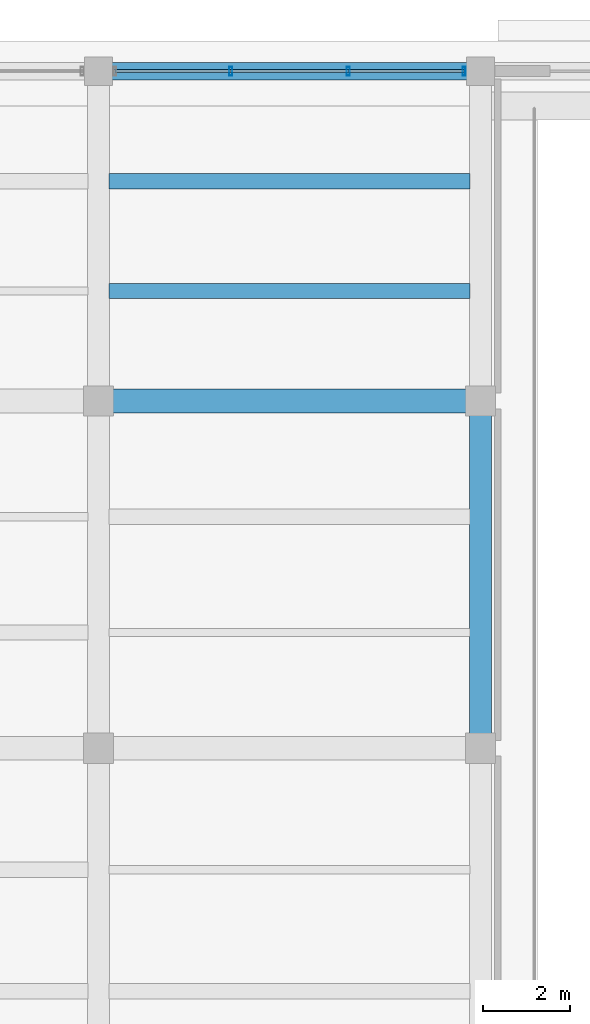
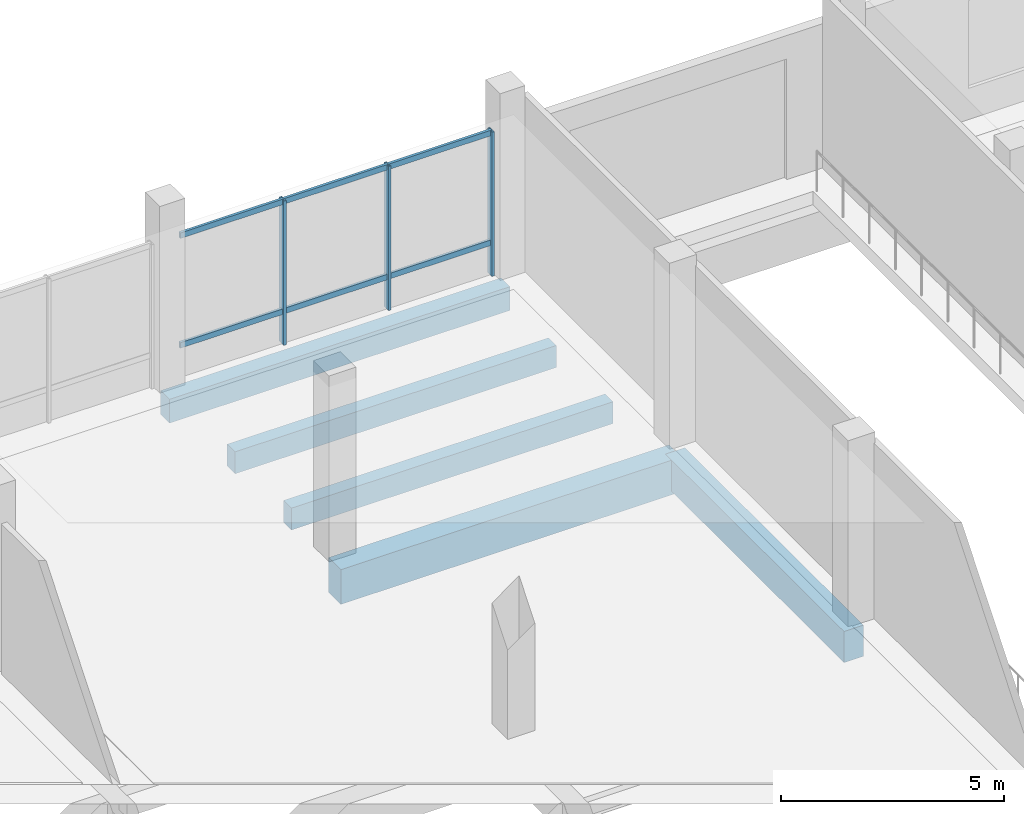
# One storey, part 51 of 73: 9 members, 5 beams, 1 element without a shape of its own.
"""IFC4 building model written with IfcOpenShell, lengths in metres."""

from ifc_helpers import new_model, si_unit, direction, frame, origin, origin_2d, place, context, subcontext, project, spatial, rectangle, hollow_rectangle, extrude, material, layer, layer_set, material_profile, profile_set, type_object, element, aggregate, save


model = new_model("IFC4")

# Units and contexts
model_context = context("Model", 3, precision=1e-05, world=origin(), true_north=direction((0.0, 1.0)))
body_context = subcontext(model_context, "Body", "Model", "MODEL_VIEW")
ifc_project = project(units=[si_unit("LENGTHUNIT", "METRE"), si_unit("AREAUNIT", "SQUARE_METRE"), si_unit("VOLUMEUNIT", "CUBIC_METRE"), si_unit("PLANEANGLEUNIT", "RADIAN"), si_unit("MASSUNIT", "GRAM", prefix="KILO")], contexts=[model_context])

# Site, building, storey
site_placement = place(None, origin())
site = spatial("IfcSite", under=ifc_project, at=site_placement, CompositionType="ELEMENT")
building_placement = place(site_placement, origin())
building = spatial("IfcBuilding", under=site, at=building_placement, Name="Meriwether Solvik Hall", CompositionType="ELEMENT")
storey_placement = place(building_placement, origin())
storey = spatial("IfcBuildingStorey", under=building, at=storey_placement, Name="L00", CompositionType="ELEMENT", Elevation=0.0)

# Beams
ifc_material_1 = material(Name="Concrete C40/50", Category="concrete")
ifc_material_profile_1 = material_profile(ifc_material_1, rectangle(XDim=0.35009765625, YDim=0.60009765625, at=origin_2d()), Name="RCB-350X600")
ifc_profile_set_1 = profile_set([ifc_material_profile_1], Name="Concrete C40/50")
beam_type_1 = type_object("IfcBeamType", Name="BM-RC-350X600", PredefinedType="JOIST", material=ifc_profile_set_1)
for number, where, z_axis, x_axis, name in (
    (1, (140.844970703125, 111.7333984375, -0.659912109375), (1.0, 0.0, 0.0), (0.0, 1.0, 0.0), "Secondary Floor Joist 16/M_J1 (L00)"),
    (2, (140.844970703125, 114.2666015625, -0.659912109375), (1.0, 0.0, 0.0), (0.0, 1.0, 0.0), "Secondary Floor Joist 16/M_J2 (L00)"),
):
    element("IfcBeam", number, at=place(storey_placement, frame(where, z_axis=z_axis, x_axis=x_axis)), inside=storey, type_object=beam_type_1, Name=name, PredefinedType="JOIST", context=body_context, shape_type="SweptSolid", body=[
        extrude(rectangle(XDim=0.35009765625, YDim=0.60009765625, at=origin_2d()), origin(), (0.0, 0.0, 1.0), 8.31005859375),
    ])
ifc_material_2 = material(Name="Concrete C40/50", Category="concrete")
ifc_material_profile_2 = material_profile(ifc_material_2, rectangle(XDim=0.39990234375, YDim=0.64990234375, at=origin_2d()), Name="RCB-400X650")
ifc_profile_set_2 = profile_set([ifc_material_profile_2], Name="Concrete C40/50")
beam_type_2 = type_object("IfcBeamType", Name="BM-RC-400X650", PredefinedType="SPANDREL", material=ifc_profile_set_2)
beam_1_placement = place(storey_placement, frame((140.60009765625, 116.800048828125, -0.68505859375), z_axis=(1.0, 0.0, 0.0), x_axis=(0.0, 1.0, 0.0)))
element("IfcBeam", 3, at=beam_1_placement, inside=storey, type_object=beam_type_2, Name="Podium Girder N:16-17 (L00)", PredefinedType="SPANDREL", context=body_context, shape_type="SweptSolid", body=[
    extrude(rectangle(XDim=0.39990234375, YDim=0.64990234375, at=origin_2d()), origin(), (0.0, 0.0, 1.0), 8.7998046875),
])
ifc_material_3 = material(Name="Concrete C40/50", Category="concrete")
ifc_material_profile_3 = material_profile(ifc_material_3, rectangle(XDim=0.5, YDim=0.85009765625, at=origin_2d()), Name="RCB-500X850")
ifc_profile_set_3 = profile_set([ifc_material_profile_3], Name="Concrete C40/50")
beam_type_3 = type_object("IfcBeamType", Name="BM-RC-500X850", PredefinedType="BEAM", material=ifc_profile_set_3)
beam_2_placement = place(storey_placement, frame((149.39990234375, 101.199951171875, -0.784912109375), z_axis=(0.0, 1.0, 0.0), x_axis=(-1.0, 0.0, 0.0)))
element("IfcBeam", 4, at=beam_2_placement, inside=storey, type_object=beam_type_3, Name="Podium Girder 17:L-M (L00)", PredefinedType="BEAM", context=body_context, shape_type="SweptSolid", body=[
    extrude(rectangle(XDim=0.5, YDim=0.85009765625, at=origin_2d()), origin(), (0.0, 0.0, 1.0), 8.0),
])
ifc_material_4 = material(Name="Concrete C40/50", Category="concrete")
ifc_material_profile_4 = material_profile(ifc_material_4, rectangle(XDim=0.550048828125, YDim=0.949951171875, at=origin_2d()), Name="RCB-550X950")
ifc_profile_set_4 = profile_set([ifc_material_profile_4], Name="Concrete C40/50")
beam_type_4 = type_object("IfcBeamType", Name="BM-RC-550X950", PredefinedType="BEAM", material=ifc_profile_set_4)
beam_3_placement = place(storey_placement, frame((140.60009765625, 109.199951171875, -0.8349609375), z_axis=(1.0, 0.0, 0.0), x_axis=(0.0, 1.0, 0.0)))
element("IfcBeam", 5, at=beam_3_placement, inside=storey, type_object=beam_type_4, Name="Podium Girder M:16-17 (L00)", PredefinedType="BEAM", context=body_context, shape_type="SweptSolid", body=[
    extrude(rectangle(XDim=0.550048828125, YDim=0.949951171875, at=origin_2d()), origin(), (0.0, 0.0, 1.0), 8.7998046875),
])

# Curtain wall, members
ifc_material_5 = material(Name="Thermally Broken Anodised Aluminium 6063-T6 and Low-E Glass", Category="aluminium")
ifc_layer = layer(ifc_material_5, 0.179931640625)
ifc_layer_set = layer_set([ifc_layer], Name="Thermally Broken Anodised Aluminium 6063-T6 and Low-E Glass")
curtain_wall_type = type_object("IfcCurtainWallType", Name="CW-SF-POD-A", PredefinedType="USERDEFINED", material=ifc_layer_set)
curtain_wall_placement = place(storey_placement, origin())
curtain_wall = element("IfcCurtainWall", 6, at=curtain_wall_placement, inside=storey, type_object=curtain_wall_type, Name="Curtain Wall wing_XN_16_33 (L00)", ObjectType="STICK STOREFRONT GLAZING", PredefinedType="USERDEFINED")
ifc_material_6 = material(Name="Anodised Aluminium 6063-T6", Category="aluminium")
ifc_material_profile_5 = material_profile(ifc_material_6, hollow_rectangle(XDim=0.070068359375, YDim=0.199951171875, WallThickness=0.0048828125, at=origin_2d()), Name="CWM-70X200")
ifc_profile_set_5 = profile_set([ifc_material_profile_5], Name="Anodised Aluminium 6063-T6")
member_type_1 = type_object("IfcMemberType", Name="CW-MUL-70X200", PredefinedType="MULLION", material=ifc_profile_set_5)
member_1_placement = place(storey_placement, frame((143.645751953125, 116.800048828125, 0.0), z_axis=(0.0, 0.0, 1.0), x_axis=(1.0, 0.0, 0.0)))
member_1 = element("IfcMember", 7, at=member_1_placement, type_object=member_type_1, Name="Curtain Wall Mullion 2", PredefinedType="MULLION", context=body_context, shape_type="SweptSolid", body=[
    extrude(hollow_rectangle(XDim=0.070068359375, YDim=0.199951171875, WallThickness=0.0048828125, at=origin_2d()), origin(), (0.0, 0.0, 1.0), 3.93994140625),
])
member_2_placement = place(storey_placement, frame((146.354248046875, 116.800048828125, 0.0), z_axis=(0.0, 0.0, 1.0), x_axis=(1.0, 0.0, 0.0)))
member_2 = element("IfcMember", 8, at=member_2_placement, type_object=member_type_1, Name="Curtain Wall Mullion 3", PredefinedType="MULLION", context=body_context, shape_type="SweptSolid", body=[
    extrude(hollow_rectangle(XDim=0.070068359375, YDim=0.199951171875, WallThickness=0.0048828125, at=origin_2d()), origin(), (0.0, 0.0, 1.0), 3.93994140625),
])
member_3_placement = place(storey_placement, frame((149.02490234375, 116.800048828125, 0.0), z_axis=(0.0, 0.0, 1.0), x_axis=(1.0, 0.0, 0.0)))
member_3 = element("IfcMember", 9, at=member_3_placement, type_object=member_type_1, Name="Curtain Wall Mullion 4", PredefinedType="MULLION", context=body_context, shape_type="SweptSolid", body=[
    extrude(hollow_rectangle(XDim=0.070068359375, YDim=0.199951171875, WallThickness=0.0048828125, at=origin_2d()), origin(), (0.0, 0.0, 1.0), 3.93994140625),
])
ifc_material_7 = material(Name="Anodised Aluminium 6063-T6", Category="aluminium")
ifc_material_profile_6 = material_profile(ifc_material_7, hollow_rectangle(XDim=0.070068359375, YDim=0.14990234375, WallThickness=0.0048828125, at=origin_2d()), Name="CWT-70X150")
ifc_profile_set_6 = profile_set([ifc_material_profile_6], Name="Anodised Aluminium 6063-T6")
member_type_2 = type_object("IfcMemberType", Name="CW-TRN-70X150", PredefinedType="USERDEFINED", material=ifc_profile_set_6)
member_4_placement = place(storey_placement, frame((140.97509765625, 116.800048828125, 0.8798828125), z_axis=(1.0, 0.0, 0.0), x_axis=(0.0, 1.0, 0.0)))
member_4 = element("IfcMember", 10, at=member_4_placement, type_object=member_type_2, Name="Curtain Wall Transom 1-sill", ObjectType="TRANSOM", PredefinedType="USERDEFINED", context=body_context, shape_type="SweptSolid", body=[
    extrude(hollow_rectangle(XDim=0.070068359375, YDim=0.14990234375, WallThickness=0.0048828125, at=origin_2d()), origin(), (0.0, 0.0, 1.0), 2.670654296875),
])
member_5_placement = place(storey_placement, frame((140.97509765625, 116.800048828125, 3.8798828125), z_axis=(1.0, 0.0, 0.0), x_axis=(0.0, 1.0, 0.0)))
member_5 = element("IfcMember", 11, at=member_5_placement, type_object=member_type_2, Name="Curtain Wall Transom 1-head", ObjectType="TRANSOM", PredefinedType="USERDEFINED", context=body_context, shape_type="SweptSolid", body=[
    extrude(hollow_rectangle(XDim=0.070068359375, YDim=0.14990234375, WallThickness=0.0048828125, at=origin_2d()), origin(), (0.0, 0.0, 1.0), 2.670654296875),
])
member_6_placement = place(storey_placement, frame((143.645751953125, 116.800048828125, 0.8798828125), z_axis=(1.0, 0.0, 0.0), x_axis=(0.0, 1.0, 0.0)))
member_6 = element("IfcMember", 12, at=member_6_placement, type_object=member_type_2, Name="Curtain Wall Transom 2-sill", ObjectType="TRANSOM", PredefinedType="USERDEFINED", context=body_context, shape_type="SweptSolid", body=[
    extrude(hollow_rectangle(XDim=0.070068359375, YDim=0.14990234375, WallThickness=0.0048828125, at=origin_2d()), origin(), (0.0, 0.0, 1.0), 2.70849609375),
])
member_7_placement = place(storey_placement, frame((143.645751953125, 116.800048828125, 3.8798828125), z_axis=(1.0, 0.0, 0.0), x_axis=(0.0, 1.0, 0.0)))
member_7 = element("IfcMember", 13, at=member_7_placement, type_object=member_type_2, Name="Curtain Wall Transom 2-head", ObjectType="TRANSOM", PredefinedType="USERDEFINED", context=body_context, shape_type="SweptSolid", body=[
    extrude(hollow_rectangle(XDim=0.070068359375, YDim=0.14990234375, WallThickness=0.0048828125, at=origin_2d()), origin(), (0.0, 0.0, 1.0), 2.70849609375),
])
member_8_placement = place(storey_placement, frame((146.354248046875, 116.800048828125, 0.8798828125), z_axis=(1.0, 0.0, 0.0), x_axis=(0.0, 1.0, 0.0)))
member_8 = element("IfcMember", 14, at=member_8_placement, type_object=member_type_2, Name="Curtain Wall Transom 3-sill", ObjectType="TRANSOM", PredefinedType="USERDEFINED", context=body_context, shape_type="SweptSolid", body=[
    extrude(hollow_rectangle(XDim=0.070068359375, YDim=0.14990234375, WallThickness=0.0048828125, at=origin_2d()), origin(), (0.0, 0.0, 1.0), 2.670654296875),
])
member_9_placement = place(storey_placement, frame((146.354248046875, 116.800048828125, 3.8798828125), z_axis=(1.0, 0.0, 0.0), x_axis=(0.0, 1.0, 0.0)))
member_9 = element("IfcMember", 15, at=member_9_placement, type_object=member_type_2, Name="Curtain Wall Transom 3-head", ObjectType="TRANSOM", PredefinedType="USERDEFINED", context=body_context, shape_type="SweptSolid", body=[
    extrude(hollow_rectangle(XDim=0.070068359375, YDim=0.14990234375, WallThickness=0.0048828125, at=origin_2d()), origin(), (0.0, 0.0, 1.0), 2.670654296875),
])
aggregate(curtain_wall, [member_1, member_2, member_3, member_4, member_5, member_6, member_7, member_8, member_9])

save(model, "model.ifc")
